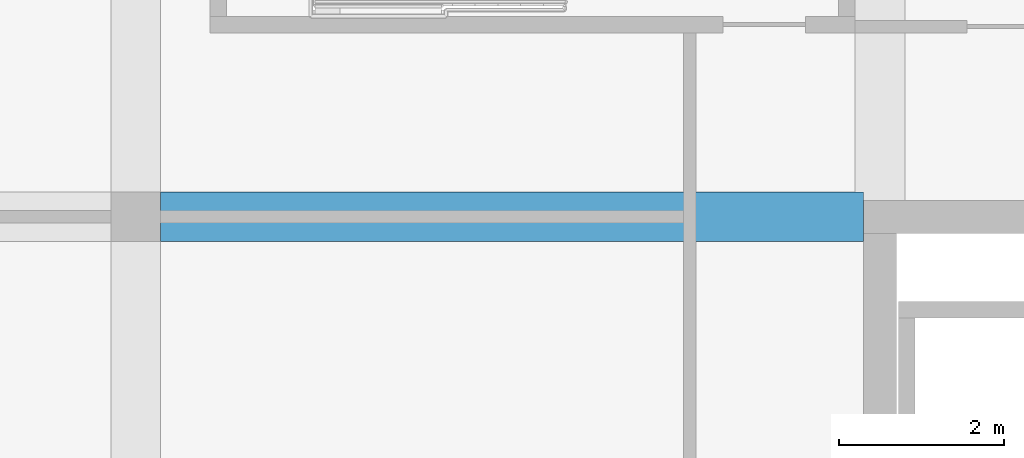
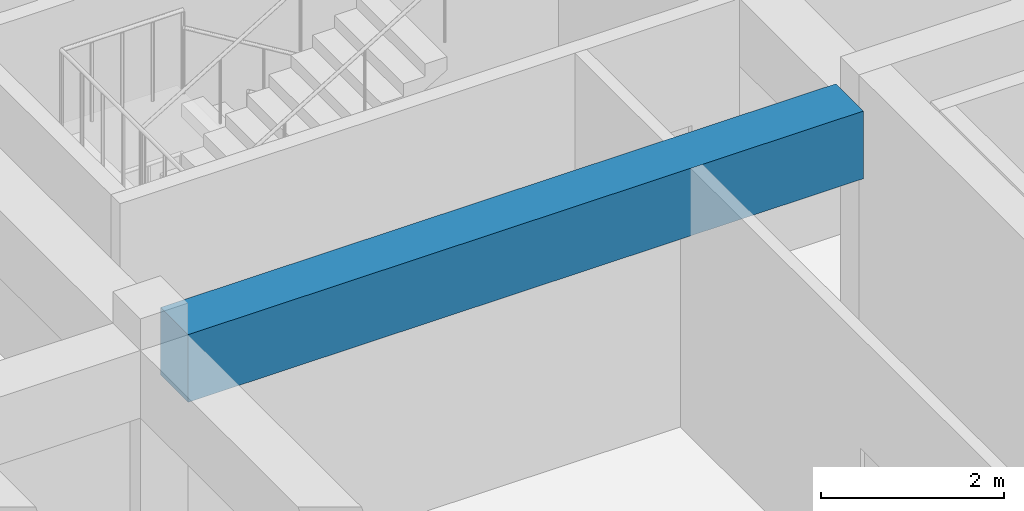
# One storey, part 14 of 35: 1 beam.
"""IFC4 building model written with IfcOpenShell, lengths in metres."""

from ifc_helpers import new_model, si_unit, direction, frame, origin, origin_2d, place, context, subcontext, project, spatial, rectangle, extrude, material, material_profile, profile_set, type_object, element, save


model = new_model("IFC4")

# Units and contexts
model_context = context("Model", 3, precision=1e-05, world=origin(), true_north=direction((0.0, 1.0)))
body_context = subcontext(model_context, "Body", "Model", "MODEL_VIEW")
ifc_project = project(units=[si_unit("LENGTHUNIT", "METRE"), si_unit("AREAUNIT", "SQUARE_METRE"), si_unit("VOLUMEUNIT", "CUBIC_METRE"), si_unit("PLANEANGLEUNIT", "RADIAN"), si_unit("MASSUNIT", "GRAM", prefix="KILO")], contexts=[model_context])

# Site, building, storey
site_placement = place(None, origin())
site = spatial("IfcSite", under=ifc_project, at=site_placement, CompositionType="ELEMENT")
building_placement = place(site_placement, origin())
building = spatial("IfcBuilding", under=site, at=building_placement, Name="Tuart Plaza Theatre", CompositionType="ELEMENT")
storey_placement = place(building_placement, frame((0.0, 0.0, 49.5)))
storey = spatial("IfcBuildingStorey", under=building, at=storey_placement, Name="L12", CompositionType="ELEMENT", Elevation=49.5)

# Beam
ifc_material = material(Name="Concrete N40 (40 MPa)", Category="concrete")
ifc_material_profile = material_profile(ifc_material, rectangle(XDim=0.60009765625, YDim=0.89990234375, at=origin_2d()), Name="BEAM 600x900 Concrete N40 (40 MPa)")
ifc_profile_set = profile_set([ifc_material_profile], Name="Concrete N40 (40 MPa)")
beam_type = type_object("IfcBeamType", Name="BEAM 600x900 Concrete N40 (40 MPa)", PredefinedType="BEAM", material=ifc_profile_set)
beam_placement = place(storey_placement, frame((114.300048828125, 83.0, 3.1298828125), z_axis=(1.0, 0.0, 0.0), x_axis=(0.0, 1.0, 0.0)))
element("IfcBeam", 1, at=beam_placement, inside=storey, type_object=beam_type, Name="RB294", PredefinedType="BEAM", context=body_context, shape_type="SweptSolid", body=[
    extrude(rectangle(XDim=0.60009765625, YDim=0.89990234375, at=origin_2d()), origin(), (0.0, 0.0, 1.0), 8.5),
])

save(model, "model.ifc")
